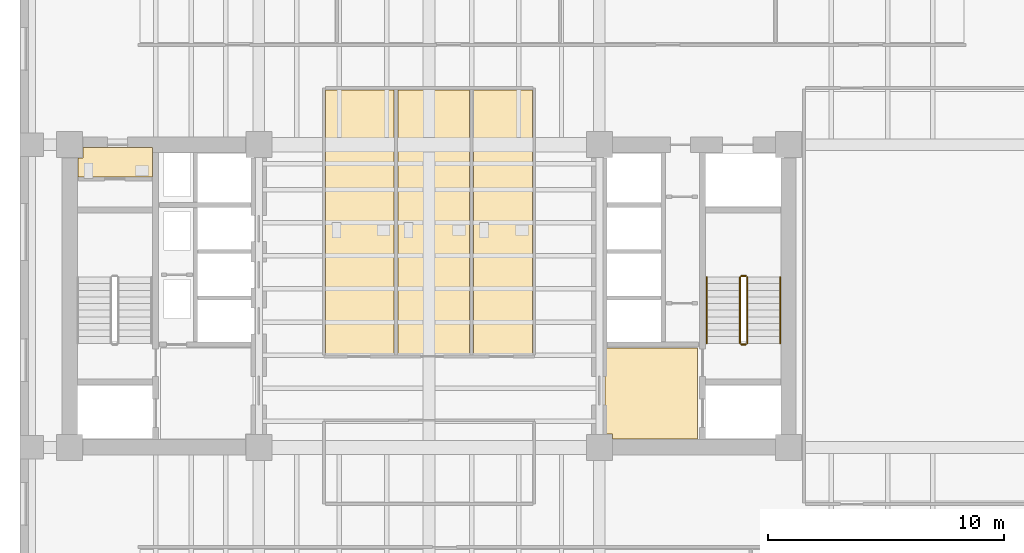
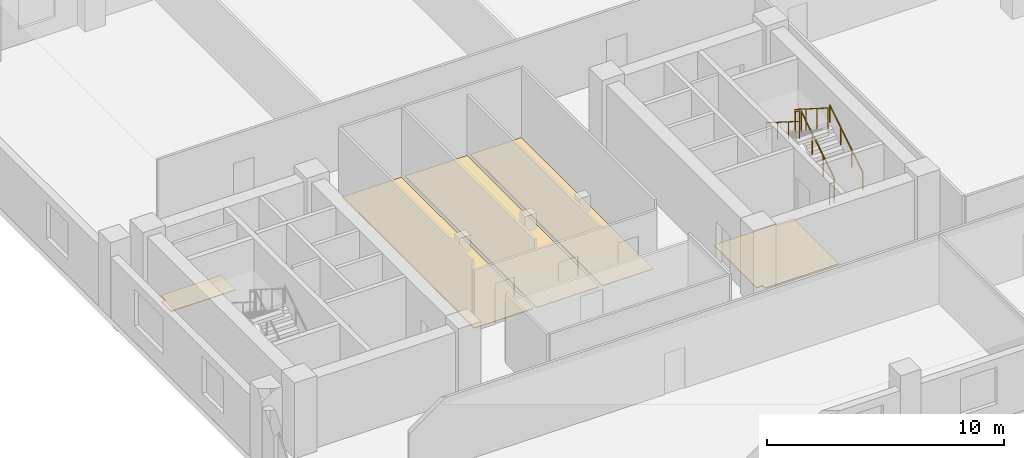
# One storey, part 7 of 9: 6 railings, 5 coverings.
"""IFC4 building model written with IfcOpenShell, lengths in metres."""

import ifcopenshell
import ifcopenshell.guid

model = None  # the IFC model being written
_history = None  # IfcOwnerHistory: only IFC2X3 demands one
_inside = {}  # id of a spatial element -> (the spatial element, [elements in it])
_under = {}  # id of a project, library or spatial element -> (it, [spatial elements below it])
_declared = {}  # id of a project -> (the project, [libraries it declares])
_typed = {}  # id of a type object -> (the type object, [elements of that type])
_made_of = {}  # id of a material, layer set ... -> (it, [elements and type objects made of it])


def new_model(schema):
    """Start an empty IFC model of exactly this schema.

    Asked for "IFC4X3", IfcOpenShell would pick the latest addendum, in which some entities
    have other attributes; the version numbers below select the first issue.
    IFC2X3 requires an IfcOwnerHistory on every rooted entity: one is made here for all.
    """
    global model, _history
    if schema == "IFC4X3":
        model = ifcopenshell.file(schema_version=(4, 3, 0, 0))
    else:
        model = ifcopenshell.file(schema=schema)
    _inside.clear()
    _under.clear()
    _declared.clear()
    _typed.clear()
    _made_of.clear()
    _history = None
    if model.schema == "IFC2X3":
        org = make("IfcOrganization", Name="unknown")
        user = make(
            "IfcPersonAndOrganization",
            ThePerson=make("IfcPerson", FamilyName="unknown"),
            TheOrganization=org,
        )
        app = make(
            "IfcApplication",
            ApplicationDeveloper=org,
            Version="unknown",
            ApplicationFullName="unknown",
            ApplicationIdentifier="unknown",
        )
        _history = make(
            "IfcOwnerHistory",
            OwningUser=user,
            OwningApplication=app,
            ChangeAction="ADDED",
            CreationDate=0,
        )
    return model


def make(cls, **values):
    """One entity of the class cls with the attributes given. An attribute that is None is left unset."""
    return model.create_entity(
        cls, **{name: value for name, value in values.items() if value is not None}
    )


def rooted(cls, **values):
    """An entity with a GlobalId (a new one), such as an element, a storey or a relation."""
    return make(cls, GlobalId=ifcopenshell.guid.new(), OwnerHistory=_history, **values)


def si_unit(unit_type, name, prefix=None):
    """IfcSIUnit, for example si_unit("LENGTHUNIT", "METRE", prefix="MILLI")."""
    return make("IfcSIUnit", UnitType=unit_type, Prefix=prefix, Name=name)


def assignment(units):
    """IfcUnitAssignment: the units of a project."""
    return None if units is None else make("IfcUnitAssignment", Units=units)


def point(xyz):
    """IfcCartesianPoint."""
    return None if xyz is None else make("IfcCartesianPoint", Coordinates=xyz)


def direction(xyz):
    """IfcDirection."""
    return None if xyz is None else make("IfcDirection", DirectionRatios=xyz)


def frame(location, z_axis=None, x_axis=None):
    """IfcAxis2Placement3D, a coordinate frame: its origin and axes. An axis left out is left unset."""
    return make(
        "IfcAxis2Placement3D",
        Location=point(location),
        Axis=direction(z_axis),
        RefDirection=direction(x_axis),
    )


def frame_2d(location, x_axis=None):
    """IfcAxis2Placement2D, a coordinate frame in the plane: its origin and x axis."""
    return make(
        "IfcAxis2Placement2D", Location=point(location), RefDirection=direction(x_axis)
    )


def origin():
    """The frame at (0, 0, 0) with its axes left unset."""
    return frame((0.0, 0.0, 0.0))


def origin_2d():
    """The frame at (0, 0) in the plane with its x axis left unset."""
    return frame_2d((0.0, 0.0))


def place(relative_to, where):
    """IfcLocalPlacement: puts the frame where relative to a parent placement (None: the world)."""
    return make(
        "IfcLocalPlacement", PlacementRelTo=relative_to, RelativePlacement=where
    )


def context(
    kind, dimensions, precision=None, world=None, true_north=None, identifier=None
):
    """IfcGeometricRepresentationContext, for example the 3D "Model" context."""
    return make(
        "IfcGeometricRepresentationContext",
        ContextIdentifier=identifier,
        ContextType=kind,
        CoordinateSpaceDimension=dimensions,
        Precision=precision,
        WorldCoordinateSystem=world,
        TrueNorth=true_north,
    )


def subcontext(parent, identifier, kind, view, scale=None):
    """IfcGeometricRepresentationSubContext, for example "Body" below "Model"."""
    return make(
        "IfcGeometricRepresentationSubContext",
        ContextIdentifier=identifier,
        ContextType=kind,
        ParentContext=parent,
        TargetScale=scale,
        TargetView=view,
    )


def project(units=None, contexts=None):
    """IfcProject with its units and contexts."""
    return rooted(
        "IfcProject",
        Name="project",
        RepresentationContexts=contexts,
        UnitsInContext=assignment(units),
    )


def spatial(cls, under=None, at=None, **own):
    """A site, building, storey or space (cls), placed at a placement, below another one or the project."""
    s = rooted(cls, ObjectPlacement=at, **own)
    if under is not None:
        _under.setdefault(under.id(), (under, []))[1].append(s)
    return s


def polyline(points):
    """IfcPolyline through the points."""
    return make("IfcPolyline", Points=[point(p) for p in points])


def profile(cls, at=None, kind="AREA", **sizes):
    """A parametric profile (cls). Its sizes go by their IFC names, for example OverallWidth=200.0."""
    return make(cls, ProfileType=kind, Position=at, **sizes)


def circle(**sizes):
    """IfcCircleProfileDef."""
    return profile("IfcCircleProfileDef", **sizes)


def outline(outer, holes=None, kind="AREA"):
    """IfcArbitraryClosedProfileDef: a profile drawn as a closed curve; with holes, ...WithVoids."""
    if holes is None:
        return make("IfcArbitraryClosedProfileDef", ProfileType=kind, OuterCurve=outer)
    return make(
        "IfcArbitraryProfileDefWithVoids",
        ProfileType=kind,
        OuterCurve=outer,
        InnerCurves=holes,
    )


def extrude(swept, where, along, depth):
    """IfcExtrudedAreaSolid: the profile swept, set in the frame where, extruded along a direction by depth."""
    return make(
        "IfcExtrudedAreaSolid",
        SweptArea=swept,
        Position=where,
        ExtrudedDirection=direction(along),
        Depth=depth,
    )


def shape(context_of_items, identifier, shape_type, items):
    """IfcShapeRepresentation: the items that make up one representation, for example the "Body"."""
    return make(
        "IfcShapeRepresentation",
        ContextOfItems=context_of_items,
        RepresentationIdentifier=identifier,
        RepresentationType=shape_type,
        Items=items,
    )


def material(Name=None, Category=None):
    """IfcMaterial."""
    return make("IfcMaterial", Name=Name, Category=Category)


def layer(
    of_material, thickness, ventilated=None, Name=None, Category=None, Priority=None
):
    """IfcMaterialLayer: one layer of a wall or slab, of a material (None: an air gap)."""
    return make(
        "IfcMaterialLayer",
        Material=of_material,
        LayerThickness=thickness,
        IsVentilated=ventilated,
        Name=Name,
        Category=Category,
        Priority=Priority,
    )


def layer_set(layers, Name=None):
    """IfcMaterialLayerSet."""
    return make("IfcMaterialLayerSet", MaterialLayers=layers, LayerSetName=Name)


def made_of(thing, what):
    """Note that an element or type object is made of a material, layer set ...; save() writes the relation."""
    if what is not None:
        _made_of.setdefault(what.id(), (what, []))[1].append(thing)
    return thing


def type_object(cls, material=None, **own):
    """A type object (cls), such as IfcWallType, which elements share."""
    return made_of(rooted(cls, **own), material)


def element(
    cls,
    number,
    at=None,
    inside=None,
    cuts=None,
    type_object=None,
    material=None,
    context=None,
    identifier="Body",
    shape_type=None,
    held_by="IfcProductDefinitionShape",
    body=None,
    shapes=None,
    **own,
):
    """One element of the class cls, such as IfcWall. Its Tag is "e" and its number.

    at: its placement. inside: the storey or other place that contains it. cuts: it is an
    opening in that element (IfcRelVoidsElement). A single representation is given by context,
    identifier, shape_type and body (its items); several are given by shapes. held_by: the class
    of the entity that holds the representations. save() writes the other relations.
    """
    e = rooted(cls, Tag="e%d" % number, ObjectPlacement=at, **own)
    if body is not None:
        shapes = [shape(context, identifier, shape_type, body)]
    if shapes is not None:
        e.Representation = make(held_by, Representations=shapes)
    if inside is not None:
        _inside.setdefault(inside.id(), (inside, []))[1].append(e)
    if cuts is not None:
        rooted(
            "IfcRelVoidsElement", RelatingBuildingElement=cuts, RelatedOpeningElement=e
        )
    if type_object is not None:
        _typed.setdefault(type_object.id(), (type_object, []))[1].append(e)
    return made_of(e, material)


def aggregate(whole, parts):
    """IfcRelAggregates: a whole, such as a stair, and the parts it consists of."""
    return rooted("IfcRelAggregates", RelatingObject=whole, RelatedObjects=parts)


def save(model, path):
    """Write the relations noted so far, then the file.

    IfcRelAggregates (storeys below a building ...), IfcRelContainedInSpatialStructure (elements
    in a storey), IfcRelDefinesByType, IfcRelAssociatesMaterial and IfcRelDeclares: one each for
    every whole, place, type object, material and project.
    """
    for whole, parts in _under.values():
        aggregate(whole, parts)
    for where, things in _inside.values():
        rooted(
            "IfcRelContainedInSpatialStructure",
            RelatedElements=things,
            RelatingStructure=where,
        )
    for kind, things in _typed.values():
        rooted("IfcRelDefinesByType", RelatedObjects=things, RelatingType=kind)
    for what, things in _made_of.values():
        rooted("IfcRelAssociatesMaterial", RelatedObjects=things, RelatingMaterial=what)
    for by, libraries in _declared.values():
        rooted("IfcRelDeclares", RelatingContext=by, RelatedDefinitions=libraries)
    model.write(path)


model = new_model("IFC4")

# Units and contexts
model_context = context("Model", 3, precision=1e-05, world=origin(), true_north=direction((0.0, 1.0)))
body_context = subcontext(model_context, "Body", "Model", "MODEL_VIEW")
ifc_project = project(units=[si_unit("LENGTHUNIT", "METRE"), si_unit("AREAUNIT", "SQUARE_METRE"), si_unit("VOLUMEUNIT", "CUBIC_METRE"), si_unit("PLANEANGLEUNIT", "RADIAN"), si_unit("MASSUNIT", "GRAM", prefix="KILO")], contexts=[model_context])

# Site, building, storey
site_placement = place(None, origin())
site = spatial("IfcSite", under=ifc_project, at=site_placement, CompositionType="ELEMENT")
building_placement = place(site_placement, origin())
building = spatial("IfcBuilding", under=site, at=building_placement, Name="Kranthara Brick Stack", CompositionType="ELEMENT")
storey_placement = place(building_placement, frame((0.0, 0.0, 78.89990234375)))
storey = spatial("IfcBuildingStorey", under=building, at=storey_placement, Name="L19", CompositionType="ELEMENT", Elevation=78.89990234375)

# Coverings
ifc_material_1 = material(Name="Honed terrazzo and porcelain floor finish", Category="stone")
ifc_layer = layer(ifc_material_1, 0.030029296875)
ifc_layer_set = layer_set([ifc_layer], Name="Honed terrazzo and porcelain floor finish")
covering_type = type_object("IfcCoveringType", Name="COV-FLOR-STONE", PredefinedType="FLOORING", material=ifc_layer_set)
covering_1_placement = place(storey_placement, origin())
element("IfcCovering", 1, at=covering_1_placement, inside=storey, type_object=covering_type, Name="L19 Lift Lobby Stone Flooring", PredefinedType="FLOORING", context=body_context, shape_type="SweptSolid", body=[
    extrude(outline(polyline([(35.449951171875, 25.0), (39.35009765625, 25.0), (39.35009765625, 21.14990234375), (35.760009765625, 21.14990234375), (35.760009765625, 21.360107421875), (35.449951171875, 21.360107421875), (35.449951171875, 25.0)])), origin(), (0.0, 0.0, 1.0), 0.030029296875),
])
covering_2_placement = place(storey_placement, origin())
element("IfcCovering", 2, at=covering_2_placement, inside=storey, type_object=covering_type, Name="L19 Wet Room Porcelain Flooring", PredefinedType="FLOORING", context=body_context, shape_type="SweptSolid", body=[
    extrude(outline(polyline([(16.300048828125, 33.47998046875), (16.300048828125, 32.22998046875), (13.14990234375, 32.22998046875), (13.14990234375, 33.0400390625), (13.360107421875, 33.0400390625), (13.360107421875, 33.47998046875), (16.300048828125, 33.47998046875)])), origin(), (0.0, 0.0, 1.0), 0.030029296875),
])
covering_3_placement = place(storey_placement, origin())
element("IfcCovering", 3, at=covering_3_placement, inside=storey, type_object=covering_type, Name="L19 Wet Room Porcelain Flooring", PredefinedType="FLOORING", context=body_context, shape_type="SweptSolid", body=[
    extrude(outline(polyline([(26.52001953125, 24.75), (26.52001953125, 35.919921875), (23.6298828125, 35.919921875), (23.6298828125, 24.75), (26.52001953125, 24.75)])), origin(), (0.0, 0.0, 1.0), 0.030029296875),
])
covering_4_placement = place(storey_placement, origin())
element("IfcCovering", 4, at=covering_4_placement, inside=storey, type_object=covering_type, Name="L19 Wet Room Porcelain Flooring", PredefinedType="FLOORING", context=body_context, shape_type="SweptSolid", body=[
    extrude(outline(polyline([(29.719970703125, 24.75), (29.719970703125, 35.919921875), (26.679931640625, 35.919921875), (26.679931640625, 24.75), (29.719970703125, 24.75)])), origin(), (0.0, 0.0, 1.0), 0.030029296875),
])
covering_5_placement = place(storey_placement, origin())
element("IfcCovering", 5, at=covering_5_placement, inside=storey, type_object=covering_type, Name="L19 Wet Room Porcelain Flooring", PredefinedType="FLOORING", context=body_context, shape_type="SweptSolid", body=[
    extrude(outline(polyline([(32.3701171875, 24.75), (32.3701171875, 35.919921875), (29.8798828125, 35.919921875), (29.8798828125, 24.75), (32.3701171875, 24.75)])), origin(), (0.0, 0.0, 1.0), 0.030029296875),
])

# Railings
ifc_material_2 = material(Name="Painted galvanized steel stair guardrail", Category="steel")
railing_type_1 = type_object("IfcRailingType", Name="RL-STAIR-GUARD-1100", PredefinedType="GUARDRAIL", material=ifc_material_2)
railing_1_placement = place(storey_placement, frame((41.449951171875, 25.199951171875, 0.177490234375)))
element("IfcRailing", 6, at=railing_1_placement, inside=storey, type_object=railing_type_1, Name="L19 ST02 stair guard 1", PredefinedType="GUARDRAIL", context=body_context, shape_type="SweptSolid", body=[
    extrude(circle(Radius=0.02392578125, at=origin_2d()), frame((0.0, 0.0, 1.076171875), z_axis=(0.0, 0.844908973607, 0.534910110503), x_axis=(-1.0, 0.0, 0.0)), (0.0, 0.0, 1.0), 3.31396484375),
    extrude(circle(Radius=0.02099609375, at=origin_2d()), origin(), (0.0, 0.0, 1.0), 1.052001953125),
    extrude(circle(Radius=0.02099609375, at=origin_2d()), frame((0.0, 0.933349609375, 0.5908203125)), (0.0, 0.0, 1.0), 1.052001953125),
    extrude(circle(Radius=0.02099609375, at=origin_2d()), frame((0.0, 1.86669921875, 1.181884765625)), (0.0, 0.0, 1.0), 1.052001953125),
    extrude(circle(Radius=0.02099609375, at=origin_2d()), frame((0.0, 2.800048828125, 1.772705078125)), (0.0, 0.0, 1.0), 1.052001953125),
])
railing_2_placement = place(storey_placement, frame((41.39990234375, 28.050048828125, 1.9501953125)))
element("IfcRailing", 7, at=railing_2_placement, inside=storey, type_object=railing_type_1, Name="L19 ST02 stair guard 2", PredefinedType="GUARDRAIL", context=body_context, shape_type="SweptSolid", body=[
    extrude(circle(Radius=0.02392578125, at=origin_2d()), frame((0.0, 0.0, 1.076171875), z_axis=(-1.0, 0.0, 0.0), x_axis=(0.0, -1.0, 0.0)), (0.0, 0.0, 1.0), 0.199951171875),
    extrude(circle(Radius=0.02099609375, at=origin_2d()), origin(), (0.0, 0.0, 1.0), 1.052001953125),
    extrude(circle(Radius=0.02099609375, at=origin_2d()), frame((-0.199951171875, 0.0, 0.0)), (0.0, 0.0, 1.0), 1.052001953125),
])
railing_3_placement = place(storey_placement, frame((41.14990234375, 28.0, 2.12744140625)))
element("IfcRailing", 8, at=railing_3_placement, inside=storey, type_object=railing_type_1, Name="L19 ST02 stair guard 3", PredefinedType="GUARDRAIL", context=body_context, shape_type="SweptSolid", body=[
    extrude(circle(Radius=0.02392578125, at=origin_2d()), frame((0.0, 0.0, 1.076171875), z_axis=(0.0, -0.844908973607, 0.534910110503), x_axis=(1.0, 0.0, 0.0)), (0.0, 0.0, 1.0), 3.31396484375),
    extrude(circle(Radius=0.02099609375, at=origin_2d()), origin(), (0.0, 0.0, 1.0), 1.052001953125),
    extrude(circle(Radius=0.02099609375, at=origin_2d()), frame((0.0, -0.933349609375, 0.5908203125)), (0.0, 0.0, 1.0), 1.052001953125),
    extrude(circle(Radius=0.02099609375, at=origin_2d()), frame((0.0, -1.86669921875, 1.181884765625)), (0.0, 0.0, 1.0), 1.052001953125),
    extrude(circle(Radius=0.02099609375, at=origin_2d()), frame((0.0, -2.800048828125, 1.772705078125)), (0.0, 0.0, 1.0), 1.052001953125),
])
railing_4_placement = place(storey_placement, frame((41.39990234375, 25.14990234375, 0.0)))
element("IfcRailing", 9, at=railing_4_placement, inside=storey, type_object=railing_type_1, Name="L19 ST02 stair guard 4", PredefinedType="GUARDRAIL", context=body_context, shape_type="SweptSolid", body=[
    extrude(circle(Radius=0.02392578125, at=origin_2d()), frame((0.0, 0.0, 1.076171875), z_axis=(-1.0, 0.0, 0.0), x_axis=(0.0, -1.0, 0.0)), (0.0, 0.0, 1.0), 0.199951171875),
    extrude(circle(Radius=0.02099609375, at=origin_2d()), origin(), (0.0, 0.0, 1.0), 1.052001953125),
    extrude(circle(Radius=0.02099609375, at=origin_2d()), frame((-0.199951171875, 0.0, 0.0)), (0.0, 0.0, 1.0), 1.052001953125),
])
ifc_material_3 = material(Name="Brushed stainless steel tubular handrail", Category="steel")
railing_type_2 = type_object("IfcRailingType", Name="RL-STAIR-HAND-900", PredefinedType="HANDRAIL", material=ifc_material_3)
railing_5_placement = place(storey_placement, frame((42.85009765625, 25.199951171875, 0.177490234375)))
element("IfcRailing", 10, at=railing_5_placement, inside=storey, type_object=railing_type_2, Name="L19 ST02 stair handrail 1", PredefinedType="HANDRAIL", context=body_context, shape_type="SweptSolid", body=[
    extrude(circle(Radius=0.02392578125, at=origin_2d()), frame((0.0, 0.0, 0.8759765625), z_axis=(0.0, 0.844908973607, 0.534910110503), x_axis=(-1.0, 0.0, 0.0)), (0.0, 0.0, 1.0), 3.31396484375),
    extrude(circle(Radius=0.02099609375, at=origin_2d()), origin(), (0.0, 0.0, 1.0), 0.851806640625),
    extrude(circle(Radius=0.02099609375, at=origin_2d()), frame((0.0, 0.933349609375, 0.5908203125)), (0.0, 0.0, 1.0), 0.851806640625),
    extrude(circle(Radius=0.02099609375, at=origin_2d()), frame((0.0, 1.86669921875, 1.181884765625)), (0.0, 0.0, 1.0), 0.851806640625),
    extrude(circle(Radius=0.02099609375, at=origin_2d()), frame((0.0, 2.800048828125, 1.772705078125)), (0.0, 0.0, 1.0), 0.851806640625),
])
railing_6_placement = place(storey_placement, frame((39.75, 28.0, 2.12744140625)))
element("IfcRailing", 11, at=railing_6_placement, inside=storey, type_object=railing_type_2, Name="L19 ST02 stair handrail 2", PredefinedType="HANDRAIL", context=body_context, shape_type="SweptSolid", body=[
    extrude(circle(Radius=0.02392578125, at=origin_2d()), frame((0.0, 0.0, 0.8759765625), z_axis=(0.0, -0.844908973607, 0.534910110503), x_axis=(1.0, 0.0, 0.0)), (0.0, 0.0, 1.0), 3.31396484375),
    extrude(circle(Radius=0.02099609375, at=origin_2d()), origin(), (0.0, 0.0, 1.0), 0.851806640625),
    extrude(circle(Radius=0.02099609375, at=origin_2d()), frame((0.0, -0.933349609375, 0.5908203125)), (0.0, 0.0, 1.0), 0.851806640625),
    extrude(circle(Radius=0.02099609375, at=origin_2d()), frame((0.0, -1.86669921875, 1.181884765625)), (0.0, 0.0, 1.0), 0.851806640625),
    extrude(circle(Radius=0.02099609375, at=origin_2d()), frame((0.0, -2.800048828125, 1.772705078125)), (0.0, 0.0, 1.0), 0.851806640625),
])

save(model, "model.ifc")
